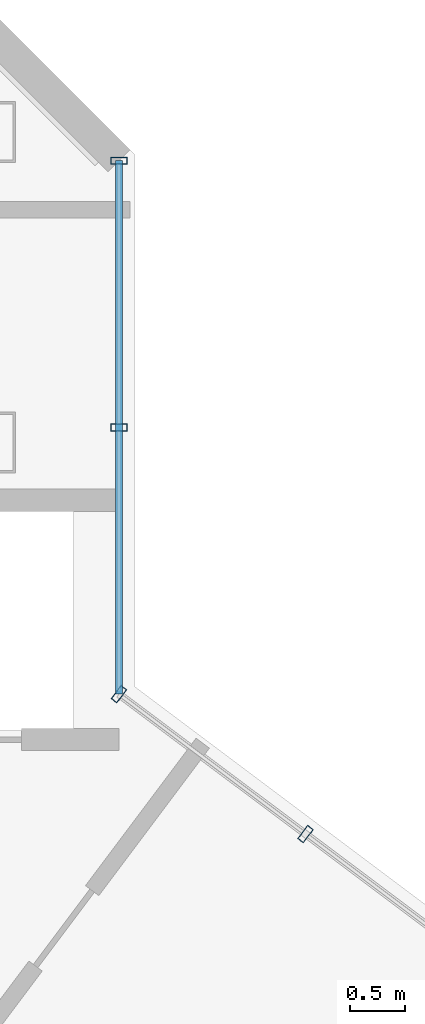
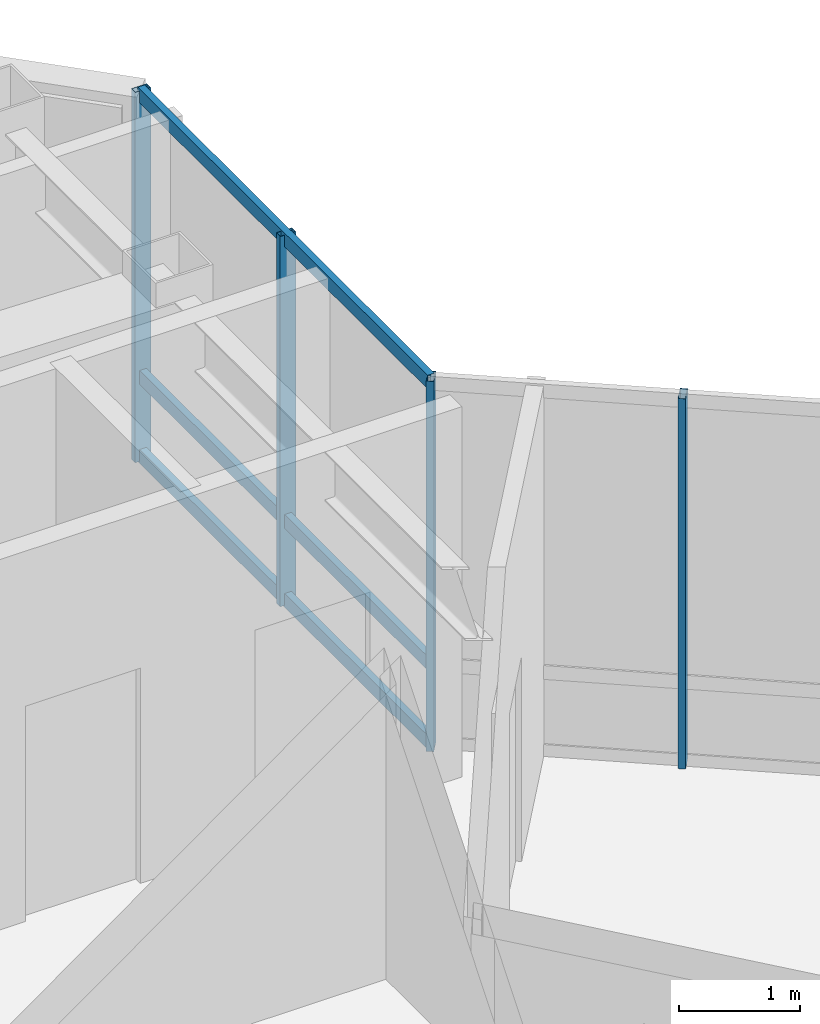
# One storey, part 13 of 23: 7 members, 2 elements without a shape of their own.
"""IFC4 building model written with IfcOpenShell, lengths in metres."""

from ifc_helpers import new_model, si_unit, direction, frame, origin, origin_2d, place, context, subcontext, project, spatial, hollow_rectangle, extrude, material, layer, layer_set, material_profile, profile_set, type_object, element, aggregate, save


model = new_model("IFC4")

# Units and contexts
model_context = context("Model", 3, precision=1e-05, world=origin(), true_north=direction((0.0, 1.0)))
body_context = subcontext(model_context, "Body", "Model", "MODEL_VIEW")
ifc_project = project(units=[si_unit("LENGTHUNIT", "METRE"), si_unit("AREAUNIT", "SQUARE_METRE"), si_unit("VOLUMEUNIT", "CUBIC_METRE"), si_unit("PLANEANGLEUNIT", "RADIAN"), si_unit("MASSUNIT", "GRAM", prefix="KILO")], contexts=[model_context])

# Site, building, storey
site_placement = place(None, origin())
site = spatial("IfcSite", under=ifc_project, at=site_placement, CompositionType="ELEMENT")
building_placement = place(site_placement, origin())
building = spatial("IfcBuilding", under=site, at=building_placement, Name="Hatsunagi Terrace Concourse", CompositionType="ELEMENT")
storey_placement = place(building_placement, frame((0.0, 0.0, 281.949951171875)))
storey = spatial("IfcBuildingStorey", under=building, at=storey_placement, Name="L74", CompositionType="ELEMENT", Elevation=281.949951171875)

# Curtain wall, members
ifc_material_1 = material(Name="Anodised Aluminium Alloy 6063-T5", Category="aluminium")
ifc_layer = layer(ifc_material_1, 0.199951171875)
ifc_layer_set = layer_set([ifc_layer], Name="CrownWintergarden_CW06")
curtain_wall_type = type_object("IfcCurtainWallType", Name="CrownWintergarden_CW06", PredefinedType="NOTDEFINED", material=ifc_layer_set)
curtain_wall_1_placement = place(storey_placement, origin())
curtain_wall_1 = element("IfcCurtainWall", 1, at=curtain_wall_1_placement, inside=storey, type_object=curtain_wall_type, Name="Unitised Curtain Wall CW-06 CW-L74-01", PredefinedType="NOTDEFINED")
ifc_material_2 = material(Name="Anodised Aluminium Alloy 6063-T5", Category="aluminium")
ifc_material_profile_1 = material_profile(ifc_material_2, hollow_rectangle(XDim=0.06494140625, YDim=0.14990234375, WallThickness=0.00390625, at=origin_2d()), Name="ALU-MUL-150x65x4")
ifc_profile_set_1 = profile_set([ifc_material_profile_1], Name="Anodised Aluminium Alloy 6063-T5")
member_type_1 = type_object("IfcMemberType", Name="CurtainWallMullion_Crown_150x65", PredefinedType="MULLION", material=ifc_profile_set_1)
member_1_placement = place(storey_placement, frame((44.860107421875, 40.72998046875, 0.0), z_axis=(0.0, 0.0, 1.0), x_axis=(0.800028248794, -0.599962333093, 0.0)))
member_1 = element("IfcMember", 2, at=member_1_placement, type_object=member_type_1, Name="Curtain Wall Mullion MUL-03", PredefinedType="MULLION", context=body_context, shape_type="SweptSolid", body=[
    extrude(hollow_rectangle(XDim=0.06494140625, YDim=0.14990234375, WallThickness=0.00390625, at=origin_2d()), origin(), (0.0, 0.0, 1.0), 3.75),
])
member_2_placement = place(storey_placement, frame((46.54296875, 39.468017578125, 0.0), z_axis=(0.0, 0.0, 1.0), x_axis=(0.800028248794, -0.599962333093, 0.0)))
member_2 = element("IfcMember", 3, at=member_2_placement, type_object=member_type_1, Name="Curtain Wall Mullion MUL-03", PredefinedType="MULLION", context=body_context, shape_type="SweptSolid", body=[
    extrude(hollow_rectangle(XDim=0.06494140625, YDim=0.14990234375, WallThickness=0.00390625, at=origin_2d()), origin(), (0.0, 0.0, 1.0), 3.75),
])
aggregate(curtain_wall_1, [member_1, member_2])

curtain_wall_2_placement = place(storey_placement, origin())
curtain_wall_2 = element("IfcCurtainWall", 4, at=curtain_wall_2_placement, inside=storey, type_object=curtain_wall_type, Name="Unitised Curtain Wall CW-06 CW-L74-11", PredefinedType="NOTDEFINED")
member_3_placement = place(storey_placement, frame((44.860107421875, 45.5419921875, 0.0), z_axis=(0.0, 0.0, 1.0), x_axis=(0.0, -1.0, 0.0)))
member_3 = element("IfcMember", 5, at=member_3_placement, type_object=member_type_1, Name="Curtain Wall Mullion MUL-03", PredefinedType="MULLION", context=body_context, shape_type="SweptSolid", body=[
    extrude(hollow_rectangle(XDim=0.06494140625, YDim=0.14990234375, WallThickness=0.00390625, at=origin_2d()), origin(), (0.0, 0.0, 1.0), 3.75),
])
member_4_placement = place(storey_placement, frame((44.860107421875, 43.135986328125, 0.0), z_axis=(0.0, 0.0, 1.0), x_axis=(0.0, -1.0, 0.0)))
member_4 = element("IfcMember", 6, at=member_4_placement, type_object=member_type_1, Name="Curtain Wall Mullion MUL-03", PredefinedType="MULLION", context=body_context, shape_type="SweptSolid", body=[
    extrude(hollow_rectangle(XDim=0.06494140625, YDim=0.14990234375, WallThickness=0.00390625, at=origin_2d()), origin(), (0.0, 0.0, 1.0), 3.75),
])
ifc_material_3 = material(Name="Anodised Aluminium Alloy 6063-T5", Category="aluminium")
ifc_material_profile_2 = material_profile(ifc_material_3, hollow_rectangle(XDim=0.06494140625, YDim=0.139892578125, WallThickness=0.00390625, at=origin_2d()), Name="ALU-TRN-140x65x4")
ifc_profile_set_2 = profile_set([ifc_material_profile_2], Name="Anodised Aluminium Alloy 6063-T5")
member_type_2 = type_object("IfcMemberType", Name="CurtainWallTransom_140x65", PredefinedType="USERDEFINED", material=ifc_profile_set_2)
member_5_placement = place(storey_placement, frame((44.860107421875, 45.5419921875, 0.050048828125), z_axis=(0.0, -1.0, 0.0), x_axis=(1.0, 0.0, 0.0)))
member_5 = element("IfcMember", 7, at=member_5_placement, type_object=member_type_2, Name="Curtain Wall Transom TRN-02", ObjectType="TRANSOM", PredefinedType="USERDEFINED", context=body_context, shape_type="SweptSolid", body=[
    extrude(hollow_rectangle(XDim=0.06494140625, YDim=0.139892578125, WallThickness=0.00390625, at=origin_2d()), origin(), (0.0, 0.0, 1.0), 4.81201171875),
])
member_6_placement = place(storey_placement, frame((44.860107421875, 45.5419921875, 0.85009765625), z_axis=(0.0, -1.0, 0.0), x_axis=(1.0, 0.0, 0.0)))
member_6 = element("IfcMember", 8, at=member_6_placement, type_object=member_type_2, Name="Curtain Wall Transom TRN-02", ObjectType="TRANSOM", PredefinedType="USERDEFINED", context=body_context, shape_type="SweptSolid", body=[
    extrude(hollow_rectangle(XDim=0.06494140625, YDim=0.139892578125, WallThickness=0.00390625, at=origin_2d()), origin(), (0.0, 0.0, 1.0), 4.81201171875),
])
member_7_placement = place(storey_placement, frame((44.860107421875, 45.5419921875, 3.699951171875), z_axis=(0.0, -1.0, 0.0), x_axis=(1.0, 0.0, 0.0)))
member_7 = element("IfcMember", 9, at=member_7_placement, type_object=member_type_2, Name="Curtain Wall Transom TRN-02", ObjectType="TRANSOM", PredefinedType="USERDEFINED", context=body_context, shape_type="SweptSolid", body=[
    extrude(hollow_rectangle(XDim=0.06494140625, YDim=0.139892578125, WallThickness=0.00390625, at=origin_2d()), origin(), (0.0, 0.0, 1.0), 4.81201171875),
])
aggregate(curtain_wall_2, [member_3, member_4, member_5, member_6, member_7])

save(model, "model.ifc")
